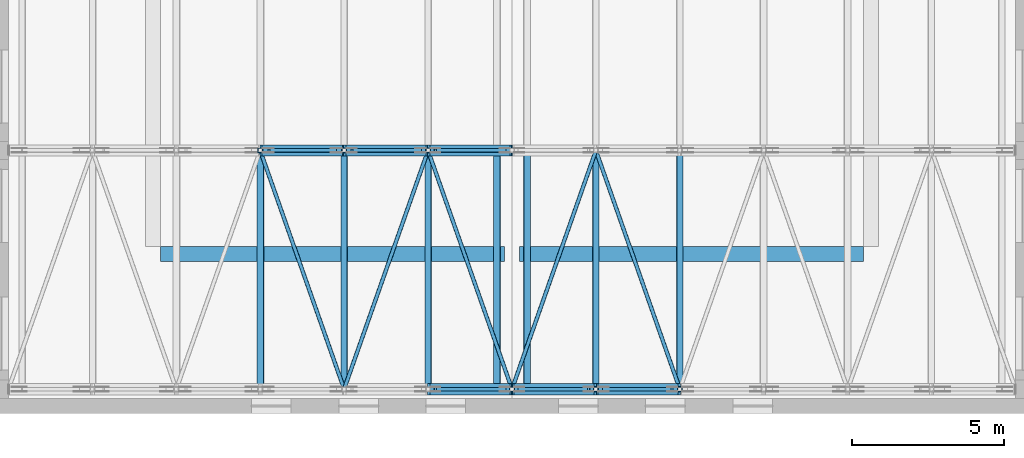
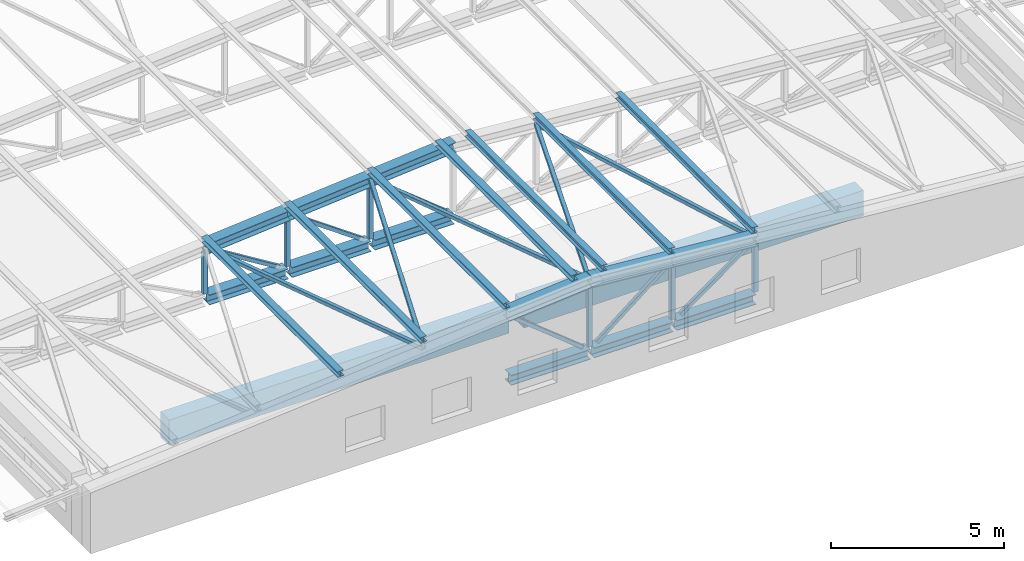
# One storey, part 10 of 60: 36 members, 2 beams.
"""IFC4 building model written with IfcOpenShell, lengths in metres."""

from ifc_helpers import new_model, si_unit, direction, frame, origin, origin_2d, place, context, subcontext, project, spatial, rectangle, hollow_rectangle, i_section, extrude, material, material_profile, profile_set, type_object, element, save


model = new_model("IFC4")

# Units and contexts
model_context = context("Model", 3, precision=1e-05, world=origin(), true_north=direction((0.0, 1.0)))
body_context = subcontext(model_context, "Body", "Model", "MODEL_VIEW")
ifc_project = project(units=[si_unit("LENGTHUNIT", "METRE"), si_unit("AREAUNIT", "SQUARE_METRE"), si_unit("VOLUMEUNIT", "CUBIC_METRE"), si_unit("PLANEANGLEUNIT", "RADIAN"), si_unit("MASSUNIT", "GRAM", prefix="KILO")], contexts=[model_context])

# Site, building, storey
site_placement = place(None, origin())
site = spatial("IfcSite", under=ifc_project, at=site_placement, CompositionType="ELEMENT")
building_placement = place(site_placement, origin())
building = spatial("IfcBuilding", under=site, at=building_placement, Name="Ljudholm Concert House", CompositionType="ELEMENT")
storey_placement = place(building_placement, frame((0.0, 0.0, 15.0)))
storey = spatial("IfcBuildingStorey", under=building, at=storey_placement, Name="L03", CompositionType="ELEMENT", Elevation=15.0)

# Beams
ifc_material_1 = material(Name="Concrete 6,500 psi", Category="concrete")
ifc_material_profile_1 = material_profile(ifc_material_1, rectangle(XDim=0.5, YDim=0.89990234375, at=origin_2d()), Name="RC BEAM 500x900")
ifc_profile_set_1 = profile_set([ifc_material_profile_1], Name="Concrete 6,500 psi")
beam_type = type_object("IfcBeamType", Name="RC BEAM 500x900", PredefinedType="BEAM", material=ifc_profile_set_1)
for number, where, z_axis, x_axis, name in (
    (1, (17.64990234375, 9.0, -0.699951171875), (1.0, 0.0, 0.0), (0.0, 1.0, 0.0), "Ring beam"),
    (2, (29.449951171875, 9.0, -0.699951171875), (1.0, 0.0, 0.0), (0.0, 1.0, 0.0), "Ring beam"),
):
    element("IfcBeam", number, at=place(storey_placement, frame(where, z_axis=z_axis, x_axis=x_axis)), inside=storey, type_object=beam_type, Name=name, PredefinedType="BEAM", context=body_context, shape_type="SweptSolid", body=[
        extrude(rectangle(XDim=0.5, YDim=0.89990234375, at=origin_2d()), origin(), (0.0, 0.0, 1.0), 11.300048828125),
    ])

# Members
ifc_material_2 = material(Name="Steel ASTM A500 Gr. C", Category="steel")
ifc_material_profile_2 = material_profile(ifc_material_2, hollow_rectangle(XDim=0.126953125, YDim=0.126953125, WallThickness=0.00732421875, InnerFilletRadius=0.003662109375, OuterFilletRadius=0.010986328125, at=origin_2d()), Name="HSS5X5X5/16")
ifc_profile_set_2 = profile_set([ifc_material_profile_2], Name="Steel ASTM A500 Gr. C")
member_type_1 = type_object("IfcMemberType", Name="STEEL MEMBER HSS5X5X5/16 BRACE", PredefinedType="BRACE", material=ifc_profile_set_2)
member_1_placement = place(storey_placement, frame((26.68115234375, 4.550048828125, 2.753662109375), z_axis=(0.780371115446, 0.0, -0.625316657525), x_axis=(0.0, 1.0, 0.0)))
element("IfcMember", 3, at=member_1_placement, inside=storey, type_object=member_type_1, Name="Roof truss T1 diagonal", PredefinedType="BRACE", context=body_context, shape_type="SweptSolid", body=[
    extrude(hollow_rectangle(XDim=0.126953125, YDim=0.126953125, WallThickness=0.00732421875, InnerFilletRadius=0.003662109375, OuterFilletRadius=0.010986328125, at=origin_2d()), origin(), (0.0, 0.0, 1.0), 2.9208984375),
])
member_2_placement = place(storey_placement, frame((29.439697265625, 4.550048828125, 0.92724609375), z_axis=(0.780338427861, 0.0, 0.625357448187), x_axis=(0.0, 1.0, 0.0)))
element("IfcMember", 4, at=member_2_placement, inside=storey, type_object=member_type_1, Name="Roof truss T1 diagonal", PredefinedType="BRACE", context=body_context, shape_type="SweptSolid", body=[
    extrude(hollow_rectangle(XDim=0.126953125, YDim=0.126953125, WallThickness=0.00732421875, InnerFilletRadius=0.003662109375, OuterFilletRadius=0.010986328125, at=origin_2d()), origin(), (0.0, 0.0, 1.0), 2.920654296875),
])
member_3_placement = place(storey_placement, frame((32.21728515625, 4.550048828125, 0.9296875), z_axis=(0.815662734234, 0.0, 0.57852770373), x_axis=(0.0, 1.0, 0.0)))
element("IfcMember", 5, at=member_3_placement, inside=storey, type_object=member_type_1, Name="Roof truss T1 diagonal", PredefinedType="BRACE", context=body_context, shape_type="SweptSolid", body=[
    extrude(hollow_rectangle(XDim=0.126953125, YDim=0.126953125, WallThickness=0.00732421875, InnerFilletRadius=0.003662109375, OuterFilletRadius=0.010986328125, at=origin_2d()), origin(), (0.0, 0.0, 1.0), 2.746826171875),
])
member_4_placement = place(storey_placement, frame((21.20947265625, 12.39990234375, 2.2841796875), z_axis=(0.850800492384, 0.0, -0.525488841137), x_axis=(0.0, 1.0, 0.0)))
element("IfcMember", 6, at=member_4_placement, inside=storey, type_object=member_type_1, Name="Roof truss T2 diagonal", PredefinedType="BRACE", context=body_context, shape_type="SweptSolid", body=[
    extrude(hollow_rectangle(XDim=0.126953125, YDim=0.126953125, WallThickness=0.00732421875, InnerFilletRadius=0.003662109375, OuterFilletRadius=0.010986328125, at=origin_2d()), origin(), (0.0, 0.0, 1.0), 2.573486328125),
])
member_5_placement = place(storey_placement, frame((23.9423828125, 12.39990234375, 2.518798828125), z_axis=(0.815632982968, 0.0, -0.578569647574), x_axis=(0.0, 1.0, 0.0)))
element("IfcMember", 7, at=member_5_placement, inside=storey, type_object=member_type_1, Name="Roof truss T2 diagonal", PredefinedType="BRACE", context=body_context, shape_type="SweptSolid", body=[
    extrude(hollow_rectangle(XDim=0.126953125, YDim=0.126953125, WallThickness=0.00732421875, InnerFilletRadius=0.003662109375, OuterFilletRadius=0.010986328125, at=origin_2d()), origin(), (0.0, 0.0, 1.0), 2.74658203125),
])
member_6_placement = place(storey_placement, frame((26.68115234375, 12.39990234375, 2.753662109375), z_axis=(0.780371115446, 0.0, -0.625316657525), x_axis=(0.0, 1.0, 0.0)))
element("IfcMember", 8, at=member_6_placement, inside=storey, type_object=member_type_1, Name="Roof truss T2 diagonal", PredefinedType="BRACE", context=body_context, shape_type="SweptSolid", body=[
    extrude(hollow_rectangle(XDim=0.126953125, YDim=0.126953125, WallThickness=0.00732421875, InnerFilletRadius=0.003662109375, OuterFilletRadius=0.010986328125, at=origin_2d()), origin(), (0.0, 0.0, 1.0), 2.9208984375),
])
for number, where, z_axis, x_axis, name in (
    (9, (20.925048828125, 12.39453125, 2.5), (0.33179473424, -0.942933734023, 0.02807539086), (0.943305577044, 0.331925576474, 0.0), "Roof bracing"),
    (10, (23.683349609375, 4.5556640625, 2.7333984375), (0.331795007664, 0.942934511072, 0.028046046408), (-0.943305577044, 0.331925576474, 0.0), "Roof bracing"),
    (11, (26.441650390625, 12.39453125, 2.966552734375), (0.33179473424, -0.942933734023, 0.02807539086), (0.943305577044, 0.331925576474, 0.0), "Roof bracing"),
    (12, (29.199951171875, 4.5556640625, 3.199951171875), (0.33179473424, 0.942933734023, -0.02807539086), (-0.943305577044, 0.331925576474, 0.0), "Roof bracing"),
    (13, (31.958251953125, 12.39453125, 2.966552734375), (0.331795007664, -0.942934511072, -0.028046046408), (0.943305577044, 0.331925576474, 0.0), "Roof bracing"),
):
    element("IfcMember", number, at=place(storey_placement, frame(where, z_axis=z_axis, x_axis=x_axis)), inside=storey, type_object=member_type_1, Name=name, PredefinedType="BRACE", context=body_context, shape_type="SweptSolid", body=[
        extrude(hollow_rectangle(XDim=0.126953125, YDim=0.126953125, WallThickness=0.00732421875, InnerFilletRadius=0.003662109375, OuterFilletRadius=0.010986328125, at=origin_2d()), origin(), (0.0, 0.0, 1.0), 8.313232421875),
    ])
ifc_material_3 = material(Name="Steel ASTM A500 Gr. C", Category="steel")
ifc_material_profile_3 = material_profile(ifc_material_3, hollow_rectangle(XDim=0.15234375, YDim=0.15234375, WallThickness=0.0087890625, InnerFilletRadius=0.00439453125, OuterFilletRadius=0.01318359375, at=origin_2d()), Name="HSS6X6X3/8")
ifc_profile_set_3 = profile_set([ifc_material_profile_3], Name="Steel ASTM A500 Gr. C")
member_type_2 = type_object("IfcMemberType", Name="STEEL MEMBER HSS6X6X3/8 POST", PredefinedType="POST", material=ifc_profile_set_3)
member_7_placement = place(storey_placement, frame((29.199951171875, 4.550048828125, 0.877685546875), z_axis=(0.0, 0.0, 1.0), x_axis=(1.0, 0.0, 0.0)))
element("IfcMember", 14, at=member_7_placement, inside=storey, type_object=member_type_2, Name="Roof truss T1 post", PredefinedType="POST", context=body_context, shape_type="SweptSolid", body=[
    extrude(hollow_rectangle(XDim=0.15234375, YDim=0.15234375, WallThickness=0.0087890625, InnerFilletRadius=0.00439453125, OuterFilletRadius=0.01318359375, at=origin_2d()), origin(), (0.0, 0.0, 1.0), 2.143798828125),
])
member_8_placement = place(storey_placement, frame((31.958251953125, 4.550048828125, 0.877685546875), z_axis=(0.0, 0.0, 1.0), x_axis=(1.0, 0.0, 0.0)))
element("IfcMember", 15, at=member_8_placement, inside=storey, type_object=member_type_2, Name="Roof truss T1 post", PredefinedType="POST", context=body_context, shape_type="SweptSolid", body=[
    extrude(hollow_rectangle(XDim=0.15234375, YDim=0.15234375, WallThickness=0.0087890625, InnerFilletRadius=0.00439453125, OuterFilletRadius=0.01318359375, at=origin_2d()), origin(), (0.0, 0.0, 1.0), 1.91064453125),
])
member_9_placement = place(storey_placement, frame((34.716552734375, 4.550048828125, 0.877685546875), z_axis=(0.0, 0.0, 1.0), x_axis=(1.0, 0.0, 0.0)))
element("IfcMember", 16, at=member_9_placement, inside=storey, type_object=member_type_2, Name="Roof truss T1 post", PredefinedType="POST", context=body_context, shape_type="SweptSolid", body=[
    extrude(hollow_rectangle(XDim=0.15234375, YDim=0.15234375, WallThickness=0.0087890625, InnerFilletRadius=0.00439453125, OuterFilletRadius=0.01318359375, at=origin_2d()), origin(), (0.0, 0.0, 1.0), 1.67724609375),
])
member_10_placement = place(storey_placement, frame((20.925048828125, 12.39990234375, 0.877685546875), z_axis=(0.0, 0.0, 1.0), x_axis=(1.0, 0.0, 0.0)))
element("IfcMember", 17, at=member_10_placement, inside=storey, type_object=member_type_2, Name="Roof truss T2 post", PredefinedType="POST", context=body_context, shape_type="SweptSolid", body=[
    extrude(hollow_rectangle(XDim=0.15234375, YDim=0.15234375, WallThickness=0.0087890625, InnerFilletRadius=0.00439453125, OuterFilletRadius=0.01318359375, at=origin_2d()), origin(), (0.0, 0.0, 1.0), 1.44384765625),
])
member_11_placement = place(storey_placement, frame((23.683349609375, 12.39990234375, 0.877685546875), z_axis=(0.0, 0.0, 1.0), x_axis=(1.0, 0.0, 0.0)))
element("IfcMember", 18, at=member_11_placement, inside=storey, type_object=member_type_2, Name="Roof truss T2 post", PredefinedType="POST", context=body_context, shape_type="SweptSolid", body=[
    extrude(hollow_rectangle(XDim=0.15234375, YDim=0.15234375, WallThickness=0.0087890625, InnerFilletRadius=0.00439453125, OuterFilletRadius=0.01318359375, at=origin_2d()), origin(), (0.0, 0.0, 1.0), 1.67724609375),
])
member_12_placement = place(storey_placement, frame((26.441650390625, 12.39990234375, 0.877685546875), z_axis=(0.0, 0.0, 1.0), x_axis=(1.0, 0.0, 0.0)))
element("IfcMember", 19, at=member_12_placement, inside=storey, type_object=member_type_2, Name="Roof truss T2 post", PredefinedType="POST", context=body_context, shape_type="SweptSolid", body=[
    extrude(hollow_rectangle(XDim=0.15234375, YDim=0.15234375, WallThickness=0.0087890625, InnerFilletRadius=0.00439453125, OuterFilletRadius=0.01318359375, at=origin_2d()), origin(), (0.0, 0.0, 1.0), 1.91064453125),
])
ifc_material_4 = material(Name="Steel ASTM A992", Category="steel")
ifc_material_profile_4 = material_profile(ifc_material_4, i_section(OverallWidth=0.368408203125, OverallDepth=0.355712890625, WebThickness=0.01123046875, FlangeThickness=0.01806640625, FilletRadius=0.01513671875, at=origin_2d()), Name="W14X90")
ifc_profile_set_4 = profile_set([ifc_material_profile_4], Name="Steel ASTM A992")
member_type_3 = type_object("IfcMemberType", Name="STEEL MEMBER W14X90 CHORD", PredefinedType="CHORD", material=ifc_profile_set_4)
member_13_placement = place(storey_placement, frame((26.441650390625, 4.550048828125, 2.966552734375), z_axis=(0.996439113695, 0.0, 0.084315435714), x_axis=(0.0, 1.0, 0.0)))
element("IfcMember", 20, at=member_13_placement, inside=storey, type_object=member_type_3, Name="Roof truss T1 top chord", PredefinedType="CHORD", context=body_context, shape_type="SweptSolid", body=[
    extrude(i_section(OverallWidth=0.368408203125, OverallDepth=0.355712890625, WebThickness=0.01123046875, FlangeThickness=0.01806640625, FilletRadius=0.01513671875, at=origin_2d()), origin(), (0.0, 0.0, 1.0), 2.76806640625),
])
member_14_placement = place(storey_placement, frame((26.503662109375, 4.550048828125, 0.699951171875), z_axis=(1.0, 0.0, 0.0), x_axis=(0.0, 1.0, 0.0)))
element("IfcMember", 21, at=member_14_placement, inside=storey, type_object=member_type_3, Name="Roof truss T1 bottom chord", PredefinedType="CHORD", context=body_context, shape_type="SweptSolid", body=[
    extrude(i_section(OverallWidth=0.368408203125, OverallDepth=0.355712890625, WebThickness=0.01123046875, FlangeThickness=0.01806640625, FilletRadius=0.01513671875, at=origin_2d()), origin(), (0.0, 0.0, 1.0), 2.63427734375),
])
member_15_placement = place(storey_placement, frame((29.199951171875, 4.550048828125, 3.199951171875), z_axis=(0.996439113695, 0.0, -0.084315435714), x_axis=(0.0, 1.0, 0.0)))
element("IfcMember", 22, at=member_15_placement, inside=storey, type_object=member_type_3, Name="Roof truss T1 top chord", PredefinedType="CHORD", context=body_context, shape_type="SweptSolid", body=[
    extrude(i_section(OverallWidth=0.368408203125, OverallDepth=0.355712890625, WebThickness=0.01123046875, FlangeThickness=0.01806640625, FilletRadius=0.01513671875, at=origin_2d()), origin(), (0.0, 0.0, 1.0), 2.76806640625),
])
member_16_placement = place(storey_placement, frame((29.261962890625, 4.550048828125, 0.699951171875), z_axis=(1.0, 0.0, 0.0), x_axis=(0.0, 1.0, 0.0)))
element("IfcMember", 23, at=member_16_placement, inside=storey, type_object=member_type_3, Name="Roof truss T1 bottom chord", PredefinedType="CHORD", context=body_context, shape_type="SweptSolid", body=[
    extrude(i_section(OverallWidth=0.368408203125, OverallDepth=0.355712890625, WebThickness=0.01123046875, FlangeThickness=0.01806640625, FilletRadius=0.01513671875, at=origin_2d()), origin(), (0.0, 0.0, 1.0), 2.63427734375),
])
member_17_placement = place(storey_placement, frame((31.958251953125, 4.550048828125, 2.966552734375), z_axis=(0.996446519711, 0.0, -0.084227865669), x_axis=(0.0, 1.0, 0.0)))
element("IfcMember", 24, at=member_17_placement, inside=storey, type_object=member_type_3, Name="Roof truss T1 top chord", PredefinedType="CHORD", context=body_context, shape_type="SweptSolid", body=[
    extrude(i_section(OverallWidth=0.368408203125, OverallDepth=0.355712890625, WebThickness=0.01123046875, FlangeThickness=0.01806640625, FilletRadius=0.01513671875, at=origin_2d()), origin(), (0.0, 0.0, 1.0), 2.76806640625),
])
member_18_placement = place(storey_placement, frame((32.020263671875, 4.550048828125, 0.699951171875), z_axis=(1.0, 0.0, 0.0), x_axis=(0.0, 1.0, 0.0)))
element("IfcMember", 25, at=member_18_placement, inside=storey, type_object=member_type_3, Name="Roof truss T1 bottom chord", PredefinedType="CHORD", context=body_context, shape_type="SweptSolid", body=[
    extrude(i_section(OverallWidth=0.368408203125, OverallDepth=0.355712890625, WebThickness=0.01123046875, FlangeThickness=0.01806640625, FilletRadius=0.01513671875, at=origin_2d()), origin(), (0.0, 0.0, 1.0), 2.634521484375),
])
member_19_placement = place(storey_placement, frame((20.925048828125, 12.39990234375, 2.5), z_axis=(0.996439113695, 0.0, 0.084315435714), x_axis=(0.0, 1.0, 0.0)))
element("IfcMember", 26, at=member_19_placement, inside=storey, type_object=member_type_3, Name="Roof truss T2 top chord", PredefinedType="CHORD", context=body_context, shape_type="SweptSolid", body=[
    extrude(i_section(OverallWidth=0.368408203125, OverallDepth=0.355712890625, WebThickness=0.01123046875, FlangeThickness=0.01806640625, FilletRadius=0.01513671875, at=origin_2d()), origin(), (0.0, 0.0, 1.0), 2.76806640625),
])
member_20_placement = place(storey_placement, frame((20.987060546875, 12.39990234375, 0.699951171875), z_axis=(1.0, 0.0, 0.0), x_axis=(0.0, 1.0, 0.0)))
element("IfcMember", 27, at=member_20_placement, inside=storey, type_object=member_type_3, Name="Roof truss T2 bottom chord", PredefinedType="CHORD", context=body_context, shape_type="SweptSolid", body=[
    extrude(i_section(OverallWidth=0.368408203125, OverallDepth=0.355712890625, WebThickness=0.01123046875, FlangeThickness=0.01806640625, FilletRadius=0.01513671875, at=origin_2d()), origin(), (0.0, 0.0, 1.0), 2.63427734375),
])
member_21_placement = place(storey_placement, frame((23.683349609375, 12.39990234375, 2.7333984375), z_axis=(0.996446519711, 0.0, 0.084227865669), x_axis=(0.0, 1.0, 0.0)))
element("IfcMember", 28, at=member_21_placement, inside=storey, type_object=member_type_3, Name="Roof truss T2 top chord", PredefinedType="CHORD", context=body_context, shape_type="SweptSolid", body=[
    extrude(i_section(OverallWidth=0.368408203125, OverallDepth=0.355712890625, WebThickness=0.01123046875, FlangeThickness=0.01806640625, FilletRadius=0.01513671875, at=origin_2d()), origin(), (0.0, 0.0, 1.0), 2.76806640625),
])
member_22_placement = place(storey_placement, frame((23.745361328125, 12.39990234375, 0.699951171875), z_axis=(1.0, 0.0, 0.0), x_axis=(0.0, 1.0, 0.0)))
element("IfcMember", 29, at=member_22_placement, inside=storey, type_object=member_type_3, Name="Roof truss T2 bottom chord", PredefinedType="CHORD", context=body_context, shape_type="SweptSolid", body=[
    extrude(i_section(OverallWidth=0.368408203125, OverallDepth=0.355712890625, WebThickness=0.01123046875, FlangeThickness=0.01806640625, FilletRadius=0.01513671875, at=origin_2d()), origin(), (0.0, 0.0, 1.0), 2.63427734375),
])
member_23_placement = place(storey_placement, frame((26.441650390625, 12.39990234375, 2.966552734375), z_axis=(0.996439113695, 0.0, 0.084315435714), x_axis=(0.0, 1.0, 0.0)))
element("IfcMember", 30, at=member_23_placement, inside=storey, type_object=member_type_3, Name="Roof truss T2 top chord", PredefinedType="CHORD", context=body_context, shape_type="SweptSolid", body=[
    extrude(i_section(OverallWidth=0.368408203125, OverallDepth=0.355712890625, WebThickness=0.01123046875, FlangeThickness=0.01806640625, FilletRadius=0.01513671875, at=origin_2d()), origin(), (0.0, 0.0, 1.0), 2.76806640625),
])
member_24_placement = place(storey_placement, frame((26.503662109375, 12.39990234375, 0.699951171875), z_axis=(1.0, 0.0, 0.0), x_axis=(0.0, 1.0, 0.0)))
element("IfcMember", 31, at=member_24_placement, inside=storey, type_object=member_type_3, Name="Roof truss T2 bottom chord", PredefinedType="CHORD", context=body_context, shape_type="SweptSolid", body=[
    extrude(i_section(OverallWidth=0.368408203125, OverallDepth=0.355712890625, WebThickness=0.01123046875, FlangeThickness=0.01806640625, FilletRadius=0.01513671875, at=origin_2d()), origin(), (0.0, 0.0, 1.0), 2.63427734375),
])
ifc_material_5 = material(Name="Steel ASTM A992", Category="steel")
ifc_material_profile_5 = material_profile(ifc_material_5, i_section(OverallWidth=0.203125, OverallDepth=0.203125, WebThickness=0.00732421875, FlangeThickness=0.010986328125, FilletRadius=0.010009765625, at=origin_2d()), Name="W8X31")
ifc_profile_set_5 = profile_set([ifc_material_profile_5], Name="Steel ASTM A992")
member_type_4 = type_object("IfcMemberType", Name="STEEL MEMBER W8X31 PURLIN", PredefinedType="PURLIN", material=ifc_profile_set_5)
for number, where, z_axis, x_axis, name in (
    (32, (20.93359375, 4.550048828125, 2.781005859375), (0.0, 1.0, 0.0), (-0.996441172925, 0.0, -0.084291096202), "Purlin"),
    (33, (23.69189453125, 4.550048828125, 3.014404296875), (0.0, 1.0, 0.0), (-0.996441172925, 0.0, -0.084291096202), "Purlin"),
    (34, (26.4501953125, 4.550048828125, 3.247802734375), (0.0, 1.0, 0.0), (-0.996441172925, 0.0, -0.084291096202), "Purlin"),
    (35, (28.70849609375, 4.550048828125, 3.438720703125), (0.0, 1.0, 0.0), (-0.996441172925, 0.0, -0.084291096202), "Purlin"),
    (36, (34.7080078125, 4.550048828125, 3.014404296875), (0.0, 1.0, 0.0), (-0.996441172925, 0.0, 0.084291096202), "Purlin"),
    (37, (31.94970703125, 4.550048828125, 3.247802734375), (0.0, 1.0, 0.0), (-0.996441172925, 0.0, 0.084291096202), "Purlin"),
    (38, (29.69140625, 4.550048828125, 3.438720703125), (0.0, 1.0, 0.0), (-0.996441172925, 0.0, 0.084291096202), "Purlin"),
):
    element("IfcMember", number, at=place(storey_placement, frame(where, z_axis=z_axis, x_axis=x_axis)), inside=storey, type_object=member_type_4, Name=name, PredefinedType="PURLIN", context=body_context, shape_type="SweptSolid", body=[
        extrude(i_section(OverallWidth=0.203125, OverallDepth=0.203125, WebThickness=0.00732421875, FlangeThickness=0.010986328125, FilletRadius=0.010009765625, at=origin_2d()), origin(), (0.0, 0.0, 1.0), 7.849853515625),
    ])

save(model, "model.ifc")
